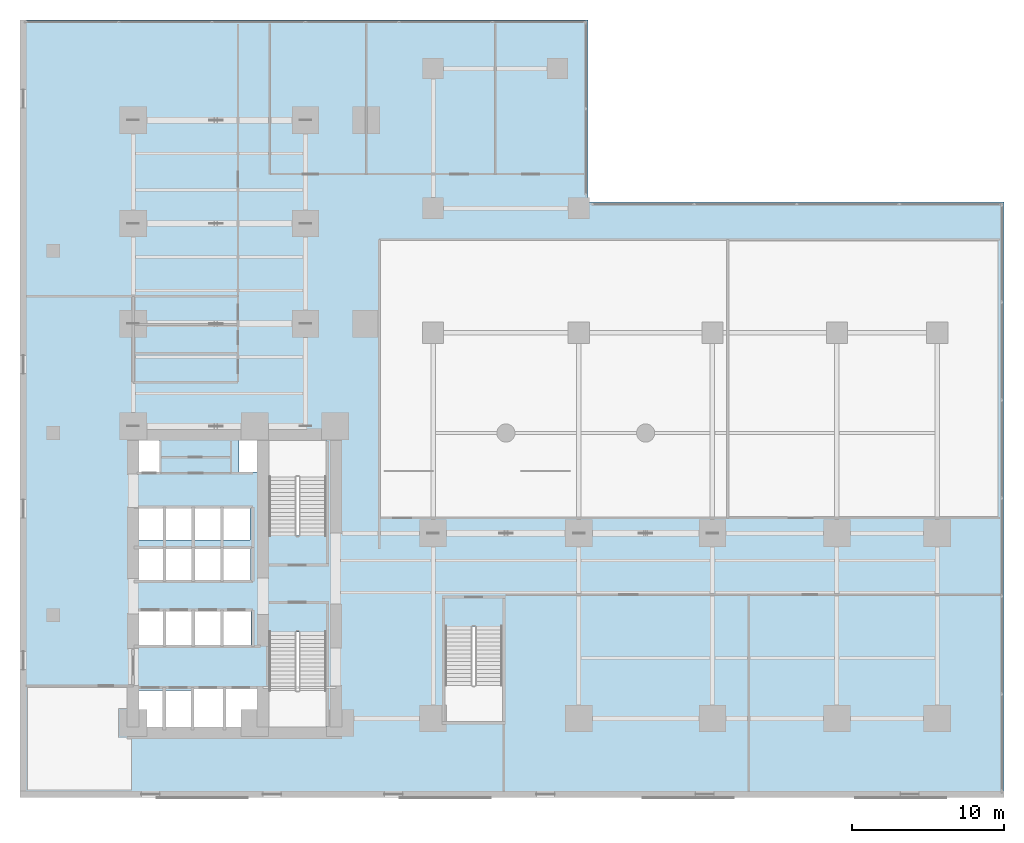
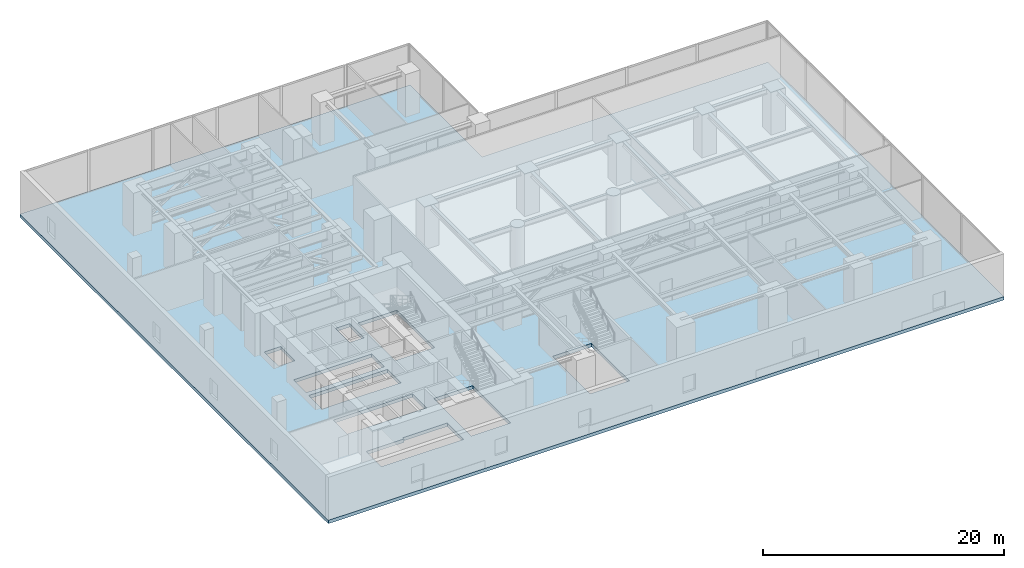
# One storey, part 12 of 18: 1 slab.
"""IFC4 building model written with IfcOpenShell, lengths in metres."""

import ifcopenshell
import ifcopenshell.guid

model = None  # the IFC model being written
_history = None  # IfcOwnerHistory: only IFC2X3 demands one
_inside = {}  # id of a spatial element -> (the spatial element, [elements in it])
_under = {}  # id of a project, library or spatial element -> (it, [spatial elements below it])
_declared = {}  # id of a project -> (the project, [libraries it declares])
_typed = {}  # id of a type object -> (the type object, [elements of that type])
_made_of = {}  # id of a material, layer set ... -> (it, [elements and type objects made of it])


def new_model(schema):
    """Start an empty IFC model of exactly this schema.

    Asked for "IFC4X3", IfcOpenShell would pick the latest addendum, in which some entities
    have other attributes; the version numbers below select the first issue.
    IFC2X3 requires an IfcOwnerHistory on every rooted entity: one is made here for all.
    """
    global model, _history
    if schema == "IFC4X3":
        model = ifcopenshell.file(schema_version=(4, 3, 0, 0))
    else:
        model = ifcopenshell.file(schema=schema)
    _inside.clear()
    _under.clear()
    _declared.clear()
    _typed.clear()
    _made_of.clear()
    _history = None
    if model.schema == "IFC2X3":
        org = make("IfcOrganization", Name="unknown")
        user = make(
            "IfcPersonAndOrganization",
            ThePerson=make("IfcPerson", FamilyName="unknown"),
            TheOrganization=org,
        )
        app = make(
            "IfcApplication",
            ApplicationDeveloper=org,
            Version="unknown",
            ApplicationFullName="unknown",
            ApplicationIdentifier="unknown",
        )
        _history = make(
            "IfcOwnerHistory",
            OwningUser=user,
            OwningApplication=app,
            ChangeAction="ADDED",
            CreationDate=0,
        )
    return model


def make(cls, **values):
    """One entity of the class cls with the attributes given. An attribute that is None is left unset."""
    return model.create_entity(
        cls, **{name: value for name, value in values.items() if value is not None}
    )


def rooted(cls, **values):
    """An entity with a GlobalId (a new one), such as an element, a storey or a relation."""
    return make(cls, GlobalId=ifcopenshell.guid.new(), OwnerHistory=_history, **values)


def si_unit(unit_type, name, prefix=None):
    """IfcSIUnit, for example si_unit("LENGTHUNIT", "METRE", prefix="MILLI")."""
    return make("IfcSIUnit", UnitType=unit_type, Prefix=prefix, Name=name)


def assignment(units):
    """IfcUnitAssignment: the units of a project."""
    return None if units is None else make("IfcUnitAssignment", Units=units)


def point(xyz):
    """IfcCartesianPoint."""
    return None if xyz is None else make("IfcCartesianPoint", Coordinates=xyz)


def direction(xyz):
    """IfcDirection."""
    return None if xyz is None else make("IfcDirection", DirectionRatios=xyz)


def frame(location, z_axis=None, x_axis=None):
    """IfcAxis2Placement3D, a coordinate frame: its origin and axes. An axis left out is left unset."""
    return make(
        "IfcAxis2Placement3D",
        Location=point(location),
        Axis=direction(z_axis),
        RefDirection=direction(x_axis),
    )


def origin():
    """The frame at (0, 0, 0) with its axes left unset."""
    return frame((0.0, 0.0, 0.0))


def place(relative_to, where):
    """IfcLocalPlacement: puts the frame where relative to a parent placement (None: the world)."""
    return make(
        "IfcLocalPlacement", PlacementRelTo=relative_to, RelativePlacement=where
    )


def context(
    kind, dimensions, precision=None, world=None, true_north=None, identifier=None
):
    """IfcGeometricRepresentationContext, for example the 3D "Model" context."""
    return make(
        "IfcGeometricRepresentationContext",
        ContextIdentifier=identifier,
        ContextType=kind,
        CoordinateSpaceDimension=dimensions,
        Precision=precision,
        WorldCoordinateSystem=world,
        TrueNorth=true_north,
    )


def subcontext(parent, identifier, kind, view, scale=None):
    """IfcGeometricRepresentationSubContext, for example "Body" below "Model"."""
    return make(
        "IfcGeometricRepresentationSubContext",
        ContextIdentifier=identifier,
        ContextType=kind,
        ParentContext=parent,
        TargetScale=scale,
        TargetView=view,
    )


def project(units=None, contexts=None):
    """IfcProject with its units and contexts."""
    return rooted(
        "IfcProject",
        Name="project",
        RepresentationContexts=contexts,
        UnitsInContext=assignment(units),
    )


def spatial(cls, under=None, at=None, **own):
    """A site, building, storey or space (cls), placed at a placement, below another one or the project."""
    s = rooted(cls, ObjectPlacement=at, **own)
    if under is not None:
        _under.setdefault(under.id(), (under, []))[1].append(s)
    return s


def polyline(points):
    """IfcPolyline through the points."""
    return make("IfcPolyline", Points=[point(p) for p in points])


def outline(outer, holes=None, kind="AREA"):
    """IfcArbitraryClosedProfileDef: a profile drawn as a closed curve; with holes, ...WithVoids."""
    if holes is None:
        return make("IfcArbitraryClosedProfileDef", ProfileType=kind, OuterCurve=outer)
    return make(
        "IfcArbitraryProfileDefWithVoids",
        ProfileType=kind,
        OuterCurve=outer,
        InnerCurves=holes,
    )


def extrude(swept, where, along, depth):
    """IfcExtrudedAreaSolid: the profile swept, set in the frame where, extruded along a direction by depth."""
    return make(
        "IfcExtrudedAreaSolid",
        SweptArea=swept,
        Position=where,
        ExtrudedDirection=direction(along),
        Depth=depth,
    )


def shape(context_of_items, identifier, shape_type, items):
    """IfcShapeRepresentation: the items that make up one representation, for example the "Body"."""
    return make(
        "IfcShapeRepresentation",
        ContextOfItems=context_of_items,
        RepresentationIdentifier=identifier,
        RepresentationType=shape_type,
        Items=items,
    )


def material(Name=None, Category=None):
    """IfcMaterial."""
    return make("IfcMaterial", Name=Name, Category=Category)


def layer(
    of_material, thickness, ventilated=None, Name=None, Category=None, Priority=None
):
    """IfcMaterialLayer: one layer of a wall or slab, of a material (None: an air gap)."""
    return make(
        "IfcMaterialLayer",
        Material=of_material,
        LayerThickness=thickness,
        IsVentilated=ventilated,
        Name=Name,
        Category=Category,
        Priority=Priority,
    )


def layer_set(layers, Name=None):
    """IfcMaterialLayerSet."""
    return make("IfcMaterialLayerSet", MaterialLayers=layers, LayerSetName=Name)


def made_of(thing, what):
    """Note that an element or type object is made of a material, layer set ...; save() writes the relation."""
    if what is not None:
        _made_of.setdefault(what.id(), (what, []))[1].append(thing)
    return thing


def type_object(cls, material=None, **own):
    """A type object (cls), such as IfcWallType, which elements share."""
    return made_of(rooted(cls, **own), material)


def element(
    cls,
    number,
    at=None,
    inside=None,
    cuts=None,
    type_object=None,
    material=None,
    context=None,
    identifier="Body",
    shape_type=None,
    held_by="IfcProductDefinitionShape",
    body=None,
    shapes=None,
    **own,
):
    """One element of the class cls, such as IfcWall. Its Tag is "e" and its number.

    at: its placement. inside: the storey or other place that contains it. cuts: it is an
    opening in that element (IfcRelVoidsElement). A single representation is given by context,
    identifier, shape_type and body (its items); several are given by shapes. held_by: the class
    of the entity that holds the representations. save() writes the other relations.
    """
    e = rooted(cls, Tag="e%d" % number, ObjectPlacement=at, **own)
    if body is not None:
        shapes = [shape(context, identifier, shape_type, body)]
    if shapes is not None:
        e.Representation = make(held_by, Representations=shapes)
    if inside is not None:
        _inside.setdefault(inside.id(), (inside, []))[1].append(e)
    if cuts is not None:
        rooted(
            "IfcRelVoidsElement", RelatingBuildingElement=cuts, RelatedOpeningElement=e
        )
    if type_object is not None:
        _typed.setdefault(type_object.id(), (type_object, []))[1].append(e)
    return made_of(e, material)


def aggregate(whole, parts):
    """IfcRelAggregates: a whole, such as a stair, and the parts it consists of."""
    return rooted("IfcRelAggregates", RelatingObject=whole, RelatedObjects=parts)


def save(model, path):
    """Write the relations noted so far, then the file.

    IfcRelAggregates (storeys below a building ...), IfcRelContainedInSpatialStructure (elements
    in a storey), IfcRelDefinesByType, IfcRelAssociatesMaterial and IfcRelDeclares: one each for
    every whole, place, type object, material and project.
    """
    for whole, parts in _under.values():
        aggregate(whole, parts)
    for where, things in _inside.values():
        rooted(
            "IfcRelContainedInSpatialStructure",
            RelatedElements=things,
            RelatingStructure=where,
        )
    for kind, things in _typed.values():
        rooted("IfcRelDefinesByType", RelatedObjects=things, RelatingType=kind)
    for what, things in _made_of.values():
        rooted("IfcRelAssociatesMaterial", RelatedObjects=things, RelatingMaterial=what)
    for by, libraries in _declared.values():
        rooted("IfcRelDeclares", RelatingContext=by, RelatedDefinitions=libraries)
    model.write(path)


model = new_model("IFC4")

# Units and contexts
model_context = context("Model", 3, precision=1e-05, world=origin(), true_north=direction((0.0, 1.0)))
body_context = subcontext(model_context, "Body", "Model", "MODEL_VIEW")
ifc_project = project(units=[si_unit("LENGTHUNIT", "METRE"), si_unit("AREAUNIT", "SQUARE_METRE"), si_unit("VOLUMEUNIT", "CUBIC_METRE"), si_unit("PLANEANGLEUNIT", "RADIAN"), si_unit("MASSUNIT", "GRAM", prefix="KILO")], contexts=[model_context])

# Site, building, storey
site_placement = place(None, origin())
site = spatial("IfcSite", under=ifc_project, at=site_placement, CompositionType="ELEMENT")
building_placement = place(site_placement, origin())
building = spatial("IfcBuilding", under=site, at=building_placement, Name="Kolvaren Waterfront Exchange", CompositionType="ELEMENT")
storey_placement = place(building_placement, frame((0.0, 0.0, 24.800048828125)))
storey = spatial("IfcBuildingStorey", under=building, at=storey_placement, Name="L06", CompositionType="ELEMENT", Elevation=24.800048828125)

# Slab
ifc_material = material(Name="Concrete C40/50", Category="concrete")
ifc_layer = layer(ifc_material, 0.340087890625, Name="Concrete C40/50")
ifc_layer_set = layer_set([ifc_layer], Name="Concrete C40/50")
slab_type = type_object("IfcSlabType", Name="STR-SLAB-340", PredefinedType="FLOOR", material=ifc_layer_set)
slab_placement = place(storey_placement, frame((0.0, 0.0, -0.340087890625)))
element("IfcSlab", 1, at=slab_placement, inside=storey, type_object=slab_type, Name="L06 structural floor slab", PredefinedType="FLOOR", context=body_context, shape_type="SweptSolid", body=[
    extrude(outline(polyline([(0.0, 0.0), (64.800048828125, 0.0), (64.800048828125, 39.199951171875), (37.39990234375, 39.199951171875), (37.39990234375, 51.199951171875), (0.0, 51.199951171875), (0.0, 0.0)]), holes=[polyline([(11.320068359375, 7.260009765625), (15.610107421875, 7.260009765625), (15.610107421875, 4.5400390625), (7.719970703125, 4.5400390625), (7.719970703125, 7.06005859375), (11.320068359375, 7.06005859375), (11.320068359375, 7.260009765625)]), polyline([(20.159912109375, 4.64990234375), (16.39990234375, 4.64990234375), (16.39990234375, 10.89990234375), (20.159912109375, 10.89990234375), (20.159912109375, 4.64990234375)]), polyline([(31.760009765625, 5.0), (28.0, 5.0), (28.0, 11.25), (31.760009765625, 11.25), (31.760009765625, 5.0)]), polyline([(15.2099609375, 10.0400390625), (7.6201171875, 10.0400390625), (7.6201171875, 12.360107421875), (15.2099609375, 12.360107421875), (15.2099609375, 10.0400390625)]), polyline([(7.64501953125, 16.4599609375), (15.18505859375, 16.4599609375), (15.18505859375, 14.239990234375), (7.64501953125, 14.239990234375), (7.64501953125, 16.4599609375)]), polyline([(15.159912109375, 16.93994140625), (7.669921875, 16.93994140625), (7.669921875, 19.06005859375), (15.159912109375, 19.06005859375), (15.159912109375, 16.93994140625)]), polyline([(16.39990234375, 23.5), (20.159912109375, 23.5), (20.159912109375, 17.25), (16.39990234375, 17.25), (16.39990234375, 23.5)]), polyline([(7.60009765625, 23.780029296875), (9.179931640625, 23.780029296875), (9.179931640625, 21.419921875), (7.60009765625, 21.419921875), (7.60009765625, 23.780029296875)]), polyline([(15.800048828125, 23.780029296875), (15.800048828125, 21.419921875), (14.419921875, 21.419921875), (14.419921875, 23.780029296875), (15.800048828125, 23.780029296875)])]), origin(), (0.0, 0.0, 1.0), 0.340087890625),
])

save(model, "model.ifc")
